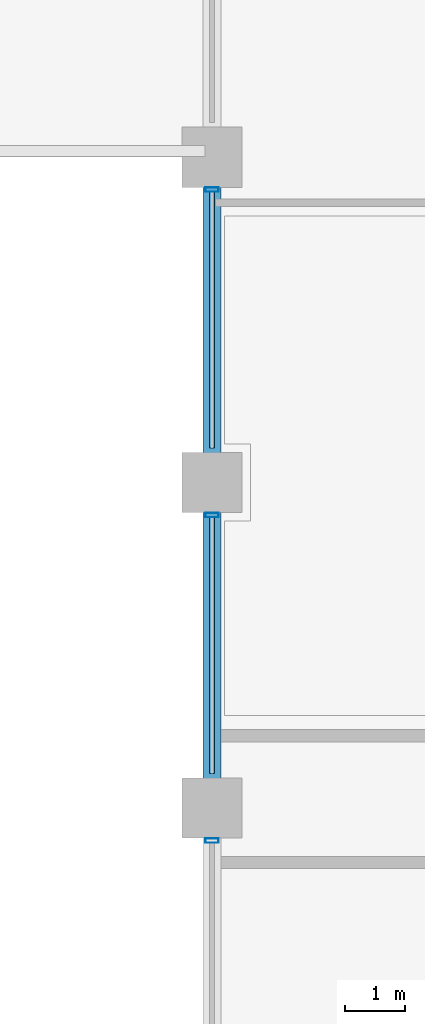
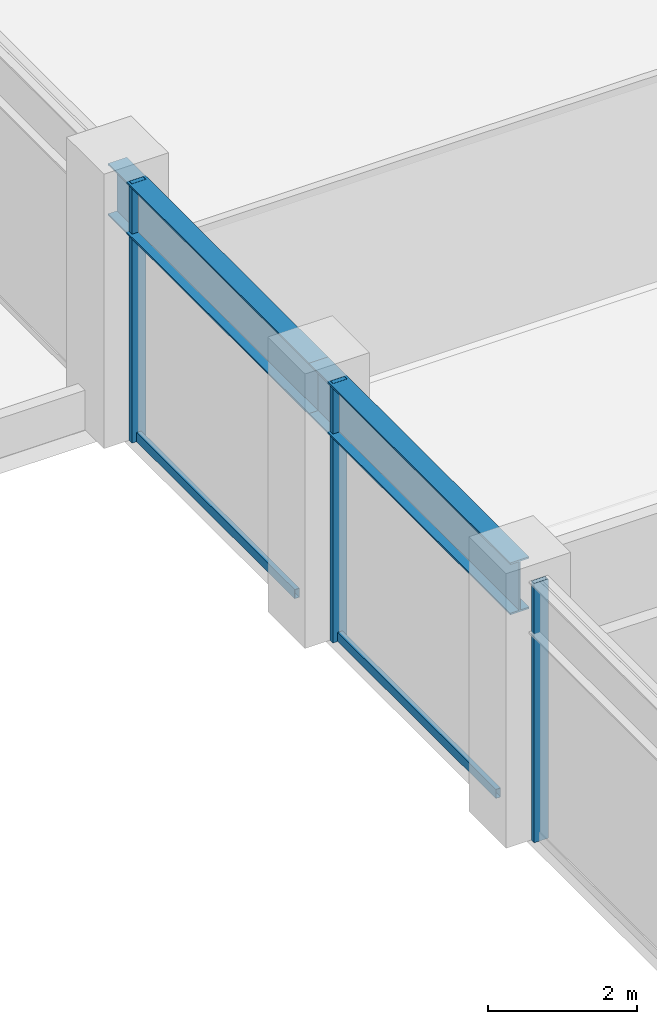
# One storey, part 5 of 25: 5 members, 2 beams, 1 element without a shape of its own.
"""IFC4 building model written with IfcOpenShell, lengths in metres."""

from ifc_helpers import new_model, si_unit, direction, frame, origin, origin_2d, place, context, subcontext, project, spatial, hollow_rectangle, i_section, extrude, material, layer, layer_set, material_profile, profile_set, type_object, element, aggregate, save


model = new_model("IFC4")

# Units and contexts
model_context = context("Model", 3, precision=1e-05, world=origin(), true_north=direction((0.0, 1.0)))
body_context = subcontext(model_context, "Body", "Model", "MODEL_VIEW")
ifc_project = project(units=[si_unit("LENGTHUNIT", "METRE"), si_unit("AREAUNIT", "SQUARE_METRE"), si_unit("VOLUMEUNIT", "CUBIC_METRE"), si_unit("PLANEANGLEUNIT", "RADIAN"), si_unit("MASSUNIT", "GRAM", prefix="KILO")], contexts=[model_context])

# Site, building, storey
site_placement = place(None, origin())
site = spatial("IfcSite", under=ifc_project, at=site_placement, CompositionType="ELEMENT")
building_placement = place(site_placement, origin())
building = spatial("IfcBuilding", under=site, at=building_placement, Name="Surkhivell Harbour Commons", CompositionType="ELEMENT")
storey_placement = place(building_placement, frame((0.0, 0.0, 162.0)))
storey = spatial("IfcBuildingStorey", under=building, at=storey_placement, Name="L42", CompositionType="ELEMENT", Elevation=162.0)

# Beams
ifc_material_1 = material(Name="Steel S460", Category="steel")
ifc_material_profile_1 = material_profile(ifc_material_1, i_section(OverallWidth=0.2939453125, OverallDepth=0.85107421875, WebThickness=0.01611328125, FlangeThickness=0.02685546875, at=origin_2d()), Name="UB838x292x226")
ifc_profile_set_1 = profile_set([ifc_material_profile_1], Name="Steel S460")
beam_type = type_object("IfcBeamType", Name="BM-SPN-838", PredefinedType="SPANDREL", material=ifc_profile_set_1)
for number, where, z_axis, x_axis, name in (
    (1, (-32.39990234375, -5.39990234375, 3.824462890625), (0.0, 1.0, 0.0), (-1.0, 0.0, 0.0), "L42 Tube Spandrel (-32.4,-5.4)"),
    (2, (-32.39990234375, 0.0, 3.824462890625), (0.0, 1.0, 0.0), (-1.0, 0.0, 0.0), "L42 Tube Spandrel (-32.4,0.0)"),
):
    element("IfcBeam", number, at=place(storey_placement, frame(where, z_axis=z_axis, x_axis=x_axis)), inside=storey, type_object=beam_type, Name=name, PredefinedType="SPANDREL", context=body_context, shape_type="SweptSolid", body=[
        extrude(i_section(OverallWidth=0.2939453125, OverallDepth=0.85107421875, WebThickness=0.01611328125, FlangeThickness=0.02685546875, at=origin_2d()), origin(), (0.0, 0.0, 1.0), 5.39990234375),
    ])

# Curtain wall, members
ifc_material_2 = material(Name="Anodised pale-metal aluminium and insulated glazing", Category="aluminium")
ifc_layer = layer(ifc_material_2, 0.205078125)
ifc_layer_set = layer_set([ifc_layer], Name="Anodised pale-metal aluminium and insulated glazing")
curtain_wall_type = type_object("IfcCurtainWallType", Name="CW-SYS-Z2", PredefinedType="NOTDEFINED", material=ifc_layer_set)
curtain_wall_placement = place(storey_placement, origin())
curtain_wall = element("IfcCurtainWall", 3, at=curtain_wall_placement, inside=storey, type_object=curtain_wall_type, Name="L42 Curtain Wall CW-L42-E12S1", PredefinedType="NOTDEFINED")
ifc_material_3 = material(Name="Anodised pale-metal aluminium alloy 6063-T6", Category="aluminium")
ifc_material_profile_2 = material_profile(ifc_material_3, hollow_rectangle(XDim=0.074951171875, YDim=0.219970703125, WallThickness=0.00390625, at=origin_2d()), Name="ALU-MULL-75x220")
ifc_profile_set_2 = profile_set([ifc_material_profile_2], Name="Anodised pale-metal aluminium alloy 6063-T6")
member_type_1 = type_object("IfcMemberType", Name="CWM-220", PredefinedType="MULLION", material=ifc_profile_set_2)
member_1_placement = place(storey_placement, frame((-32.39990234375, 4.860595703125, 0.0), z_axis=(0.0, 0.0, 1.0), x_axis=(0.0, -1.0, 0.0)))
member_1 = element("IfcMember", 4, at=member_1_placement, type_object=member_type_1, Name="CW-Z2 mullion 4", PredefinedType="MULLION", context=body_context, shape_type="SweptSolid", body=[
    extrude(hollow_rectangle(XDim=0.074951171875, YDim=0.219970703125, WallThickness=0.00390625, at=origin_2d()), origin(), (0.0, 0.0, 1.0), 4.25),
])
member_2_placement = place(storey_placement, frame((-32.39990234375, -0.53955078125, 0.0), z_axis=(0.0, 0.0, 1.0), x_axis=(0.0, -1.0, 0.0)))
member_2 = element("IfcMember", 5, at=member_2_placement, type_object=member_type_1, Name="CW-Z2 mullion 5", PredefinedType="MULLION", context=body_context, shape_type="SweptSolid", body=[
    extrude(hollow_rectangle(XDim=0.074951171875, YDim=0.219970703125, WallThickness=0.00390625, at=origin_2d()), origin(), (0.0, 0.0, 1.0), 4.25),
])
member_3_placement = place(storey_placement, frame((-32.39990234375, -5.939453125, 0.0), z_axis=(0.0, 0.0, 1.0), x_axis=(0.0, -1.0, 0.0)))
member_3 = element("IfcMember", 6, at=member_3_placement, type_object=member_type_1, Name="CW-Z2 mullion 6", PredefinedType="MULLION", context=body_context, shape_type="SweptSolid", body=[
    extrude(hollow_rectangle(XDim=0.074951171875, YDim=0.219970703125, WallThickness=0.00390625, at=origin_2d()), origin(), (0.0, 0.0, 1.0), 4.25),
])
ifc_material_profile_3 = material_profile(ifc_material_3, hollow_rectangle(XDim=0.074951171875, YDim=0.14990234375, WallThickness=0.00341796875, at=origin_2d()), Name="ALU-TRAN-75x150")
ifc_profile_set_3 = profile_set([ifc_material_profile_3], Name="Anodised pale-metal aluminium alloy 6063-T6")
member_type_2 = type_object("IfcMemberType", Name="CWT-150", PredefinedType="USERDEFINED", material=ifc_profile_set_3)
member_4_placement = place(storey_placement, frame((-32.39990234375, 4.822998046875, 0.074951171875), z_axis=(0.0, -1.0, 0.0), x_axis=(1.0, 0.0, 0.0)))
member_4 = element("IfcMember", 7, at=member_4_placement, type_object=member_type_2, Name="CW-Z2 transom 4.1", ObjectType="TRANSOM", PredefinedType="USERDEFINED", context=body_context, shape_type="SweptSolid", body=[
    extrude(hollow_rectangle(XDim=0.074951171875, YDim=0.14990234375, WallThickness=0.00341796875, at=origin_2d()), origin(), (0.0, 0.0, 1.0), 4.24609375),
])
member_5_placement = place(storey_placement, frame((-32.39990234375, -0.576904296875, 0.074951171875), z_axis=(0.0, -1.0, 0.0), x_axis=(1.0, 0.0, 0.0)))
member_5 = element("IfcMember", 8, at=member_5_placement, type_object=member_type_2, Name="CW-Z2 transom 5.1", ObjectType="TRANSOM", PredefinedType="USERDEFINED", context=body_context, shape_type="SweptSolid", body=[
    extrude(hollow_rectangle(XDim=0.074951171875, YDim=0.14990234375, WallThickness=0.00341796875, at=origin_2d()), origin(), (0.0, 0.0, 1.0), 4.24609375),
])
aggregate(curtain_wall, [member_1, member_4, member_2, member_5, member_3])

save(model, "model.ifc")
